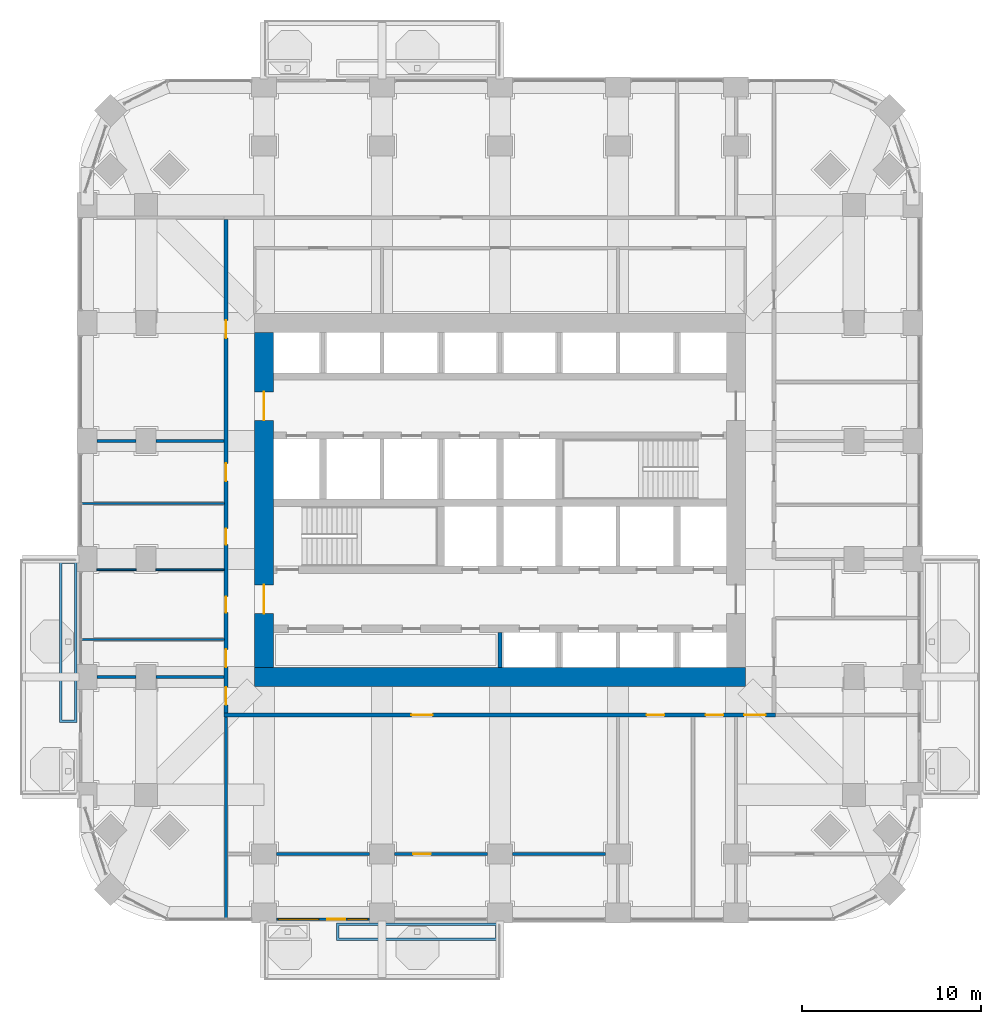
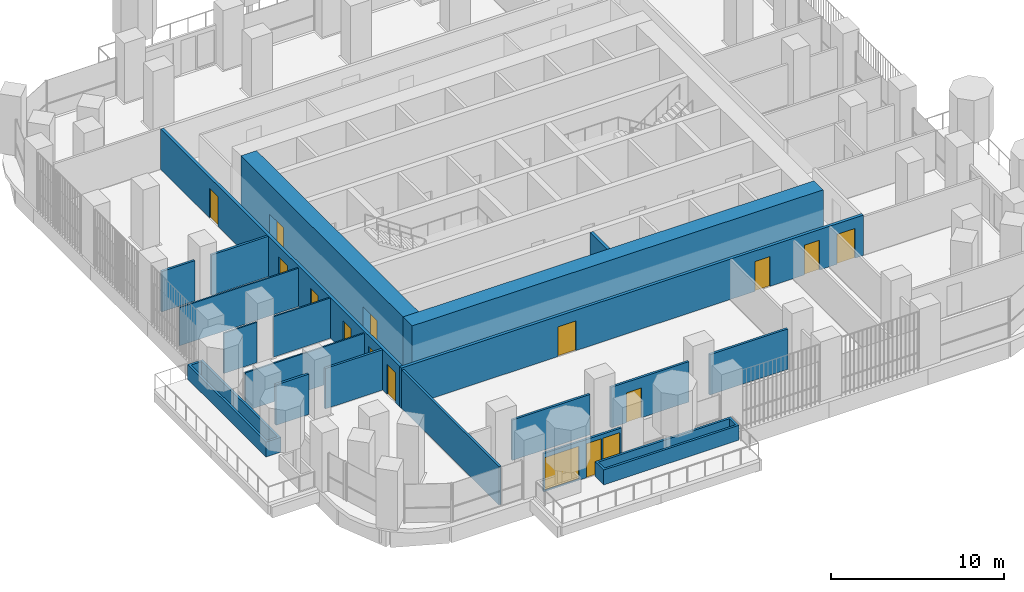
# One storey, part 13 of 21: 20 walls, 14 doors, 2 windows, 16 openings.
"""IFC4 building model written with IfcOpenShell, lengths in metres."""

from ifc_helpers import new_model, si_unit, direction, frame, frame_2d, origin, place, context, subcontext, project, spatial, polyline, rectangle, outline, extrude, material, layer, layer_set, type_object, element, fill, save


model = new_model("IFC4")

# Units and contexts
model_context = context("Model", 3, precision=1e-05, world=origin(), true_north=direction((0.0, 1.0)))
body_context = subcontext(model_context, "Body", "Model", "MODEL_VIEW")
ifc_project = project(units=[si_unit("LENGTHUNIT", "METRE"), si_unit("AREAUNIT", "SQUARE_METRE"), si_unit("VOLUMEUNIT", "CUBIC_METRE"), si_unit("PLANEANGLEUNIT", "RADIAN"), si_unit("MASSUNIT", "GRAM", prefix="KILO")], contexts=[model_context])

# Site, building, storey
site_placement = place(None, origin())
site = spatial("IfcSite", under=ifc_project, at=site_placement, CompositionType="ELEMENT")
building_placement = place(site_placement, origin())
building = spatial("IfcBuilding", under=site, at=building_placement, Name="Cobogo Forest Laboratory Tower", CompositionType="ELEMENT")
storey_placement = place(building_placement, frame((0.0, 0.0, 124.199951171875)))
storey = spatial("IfcBuildingStorey", under=building, at=storey_placement, Name="L28", CompositionType="ELEMENT", Elevation=124.199951171875)

# Wall
ifc_material_1 = material(Name="Concrete HA-50 (C50/60)", Category="concrete")
ifc_layer_1 = layer(ifc_material_1, 1.050048828125)
ifc_layer_set_1 = layer_set([ifc_layer_1], Name="CW1050 core outer wall 1050")
wall_type_1 = type_object("IfcWallType", Name="CW1050 core outer wall 1050", PredefinedType="SHEAR", material=ifc_layer_set_1)
wall_1_placement = place(storey_placement, frame((12.675048828125, 13.199951171875, 0.0), z_axis=(0.0, 0.0, 1.0), x_axis=(1.0, 0.0, 0.0)))
element("IfcWall", 1, at=wall_1_placement, inside=storey, type_object=wall_type_1, Name="Core wall CO-S L28", PredefinedType="SHEAR", context=body_context, shape_type="SweptSolid", body=[
    extrude(rectangle(XDim=27.449951171875, YDim=1.050048828125, at=frame_2d((13.72509765625, 0.0))), origin(), (0.0, 0.0, 1.0), 4.199951171875),
])

# Wall, openings, doors
wall_2_placement = place(storey_placement, frame((13.199951171875, 32.47509765625, 0.0), z_axis=(0.0, 0.0, 1.0), x_axis=(0.0, -1.0, 0.0)))
wall_2 = element("IfcWall", 2, at=wall_2_placement, inside=storey, type_object=wall_type_1, Name="Core wall CO-W L28", PredefinedType="SHEAR", context=body_context, shape_type="SweptSolid", body=[
    extrude(rectangle(XDim=18.75, YDim=1.050048828125, at=frame_2d((9.375, 0.0))), origin(), (0.0, 0.0, 1.0), 4.199951171875),
])
opening_1_placement = place(wall_2_placement, frame((14.125, 0.0, 0.0)))
opening_1 = element("IfcOpeningElement", 3, at=opening_1_placement, cuts=wall_2, Name="Opening L28-D18", PredefinedType="OPENING", context=body_context, shape_type="SweptSolid", body=[
    extrude(rectangle(XDim=1.60009765625, YDim=2.10009765625, at=frame_2d((0.800048828125, 1.050048828125))), frame((0.0, 0.534912109375, 0.0), z_axis=(0.0, -1.0, 0.0), x_axis=(1.0, 0.0, 0.0)), (0.0, 0.0, 1.0), 1.070068359375),
])
opening_2_placement = place(wall_2_placement, frame((3.324951171875, 0.0, 0.0)))
opening_2 = element("IfcOpeningElement", 4, at=opening_2_placement, cuts=wall_2, Name="Opening L28-D30", PredefinedType="OPENING", context=body_context, shape_type="SweptSolid", body=[
    extrude(rectangle(XDim=1.60009765625, YDim=2.10009765625, at=frame_2d((0.800048828125, 1.050048828125))), frame((0.0, 0.534912109375, 0.0), z_axis=(0.0, -1.0, 0.0), x_axis=(1.0, 0.0, 0.0)), (0.0, 0.0, 1.0), 1.070068359375),
])
ifc_material_2 = material(Name="Steel fire door", Category="steel")
door_type_1 = type_object("IfcDoorType", Name="DS2 protected lobby door pair 1600 EI2 60", OperationType="DOUBLE_DOOR_DOUBLE_SWING", PredefinedType="DOOR", material=ifc_material_2)
door_1_placement = place(opening_1_placement, origin())
door_1 = element("IfcDoor", 5, at=door_1_placement, inside=storey, type_object=door_type_1, Name="Door L28-CO-W-S", OperationType="DOUBLE_DOOR_DOUBLE_SWING", OverallHeight=2.10009765625, OverallWidth=1.60009765625, PredefinedType="DOOR", context=body_context, shape_type="SweptSolid", body=[
    extrude(rectangle(XDim=1.60009765625, YDim=2.10009765625, at=frame_2d((0.800048828125, 1.050048828125))), frame((0.0, 0.02490234375, 0.0), z_axis=(0.0, -1.0, 0.0), x_axis=(1.0, 0.0, 0.0)), (0.0, 0.0, 1.0), 0.050048828125),
])
fill(opening_1, door_1)
door_2_placement = place(opening_2_placement, origin())
door_2 = element("IfcDoor", 6, at=door_2_placement, inside=storey, type_object=door_type_1, Name="Door L28-CO-W-N", OperationType="DOUBLE_DOOR_DOUBLE_SWING", OverallHeight=2.10009765625, OverallWidth=1.60009765625, PredefinedType="DOOR", context=body_context, shape_type="SweptSolid", body=[
    extrude(rectangle(XDim=1.60009765625, YDim=2.10009765625, at=frame_2d((0.800048828125, 1.050048828125))), frame((0.0, 0.02490234375, 0.0), z_axis=(0.0, -1.0, 0.0), x_axis=(1.0, 0.0, 0.0)), (0.0, 0.0, 1.0), 0.050048828125),
])
fill(opening_2, door_2)

# Wall, openings, door, windows
ifc_material_3 = material(Name="Aluminium framed glazed screen", Category="aluminium")
ifc_layer_2 = layer(ifc_material_3, 0.14990234375)
ifc_layer_set_2 = layer_set([ifc_layer_2], Name="GS1 glazed door screen 150")
wall_type_2 = type_object("IfcWallType", Name="GS1 glazed door screen 150", PredefinedType="SOLIDWALL", material=ifc_layer_set_2)
wall_3_placement = place(storey_placement, frame((13.89990234375, -0.35009765625, 0.0), z_axis=(0.0, 0.0, 1.0), x_axis=(1.0, 0.0, 0.0)))
wall_3 = element("IfcWall", 7, at=wall_3_placement, inside=storey, type_object=wall_type_2, Name="Door screen BAL-S1 L28", PredefinedType="SOLIDWALL", context=body_context, shape_type="SweptSolid", body=[
    extrude(rectangle(XDim=5.2001953125, YDim=0.14990234375, at=frame_2d((2.60009765625, 0.0))), origin(), (0.0, 0.0, 1.0), 2.699951171875),
])
opening_3_placement = place(wall_3_placement, frame((2.85009765625, 0.0, 0.0)))
opening_3 = element("IfcOpeningElement", 8, at=opening_3_placement, cuts=wall_3, Name="Opening L28-D01", PredefinedType="OPENING", context=body_context, shape_type="SweptSolid", body=[
    extrude(rectangle(XDim=1.0, YDim=2.39990234375, at=frame_2d((0.5, 1.199951171875))), frame((0.0, 0.0849609375, 0.0), z_axis=(0.0, -1.0, 0.0), x_axis=(1.0, 0.0, 0.0)), (0.0, 0.0, 1.0), 0.169921875),
])
opening_4_placement = place(wall_3_placement, frame((0.10009765625, 0.0, 0.10009765625)))
opening_4 = element("IfcOpeningElement", 9, at=opening_4_placement, cuts=wall_3, Name="Opening L28-W01", PredefinedType="OPENING", context=body_context, shape_type="SweptSolid", body=[
    extrude(rectangle(XDim=2.25, YDim=2.300048828125, at=frame_2d((1.125, 1.14990234375))), frame((0.0, 0.0849609375, 0.0), z_axis=(0.0, -1.0, 0.0), x_axis=(1.0, 0.0, 0.0)), (0.0, 0.0, 1.0), 0.169921875),
])
opening_5_placement = place(wall_3_placement, frame((3.949951171875, 0.0, 0.10009765625)))
opening_5 = element("IfcOpeningElement", 10, at=opening_5_placement, cuts=wall_3, Name="Opening L28-W02", PredefinedType="OPENING", context=body_context, shape_type="SweptSolid", body=[
    extrude(rectangle(XDim=1.14990234375, YDim=2.300048828125, at=frame_2d((0.574951171875, 1.14990234375))), frame((0.0, 0.0849609375, 0.0), z_axis=(0.0, -1.0, 0.0), x_axis=(1.0, 0.0, 0.0)), (0.0, 0.0, 1.0), 0.169921875),
])
ifc_material_4 = material(Name="Aluminium glazed door", Category="aluminium")
door_type_2 = type_object("IfcDoorType", Name="DB1 balcony door 1000 glazed", OperationType="SINGLE_SWING_LEFT", PredefinedType="DOOR", material=ifc_material_4)
door_3_placement = place(opening_3_placement, origin())
door_3 = element("IfcDoor", 11, at=door_3_placement, inside=storey, type_object=door_type_2, Name="Door L28-BAL-S1", OperationType="SINGLE_SWING_RIGHT", OverallHeight=2.39990234375, OverallWidth=1.0, PredefinedType="DOOR", context=body_context, shape_type="SweptSolid", body=[
    extrude(rectangle(XDim=1.0, YDim=2.39990234375, at=frame_2d((0.5, 1.199951171875))), frame((0.0, 0.02490234375, 0.0), z_axis=(0.0, -1.0, 0.0), x_axis=(1.0, 0.0, 0.0)), (0.0, 0.0, 1.0), 0.050048828125),
])
fill(opening_3, door_3)
ifc_material_5 = material(Name="Aluminium framed glazing", Category="aluminium")
window_type_1 = type_object("IfcWindowType", Name="WG15 fixed glazed light 2250x2300", PartitioningType="SINGLE_PANEL", PredefinedType="WINDOW", material=ifc_material_5)
window_1_placement = place(opening_4_placement, origin())
window_1 = element("IfcWindow", 12, at=window_1_placement, inside=storey, type_object=window_type_1, Name="Window L28-BAL-S1-1", OverallHeight=2.300048828125, OverallWidth=2.25, PartitioningType="SINGLE_PANEL", PredefinedType="WINDOW", context=body_context, shape_type="SweptSolid", body=[
    extrude(rectangle(XDim=2.25, YDim=2.300048828125, at=frame_2d((1.125, 1.14990234375))), frame((0.0, 0.030029296875, 0.0), z_axis=(0.0, -1.0, 0.0), x_axis=(1.0, 0.0, 0.0)), (0.0, 0.0, 1.0), 0.06005859375),
])
fill(opening_4, window_1)
window_type_2 = type_object("IfcWindowType", Name="WG16 fixed glazed light 1150x2300", PartitioningType="SINGLE_PANEL", PredefinedType="WINDOW", material=ifc_material_5)
window_2_placement = place(opening_5_placement, origin())
window_2 = element("IfcWindow", 13, at=window_2_placement, inside=storey, type_object=window_type_2, Name="Window L28-BAL-S1-2", OverallHeight=2.300048828125, OverallWidth=1.14990234375, PartitioningType="SINGLE_PANEL", PredefinedType="WINDOW", context=body_context, shape_type="SweptSolid", body=[
    extrude(rectangle(XDim=1.14990234375, YDim=2.300048828125, at=frame_2d((0.574951171875, 1.14990234375))), frame((0.0, 0.030029296875, 0.0), z_axis=(0.0, -1.0, 0.0), x_axis=(1.0, 0.0, 0.0)), (0.0, 0.0, 1.0), 0.06005859375),
])
fill(opening_5, window_2)

# Walls
ifc_material_6 = material(Name="Gypsum board on steel studs", Category="steel")
ifc_layer_3 = layer(ifc_material_6, 0.14990234375)
ifc_layer_set_3 = layer_set([ifc_layer_3], Name="PT1 laboratory partition 150")
wall_type_3 = type_object("IfcWallType", Name="PT1 laboratory partition 150", PredefinedType="PARTITIONING", material=ifc_layer_set_3)
wall_4_placement = place(storey_placement, frame((11.074951171875, -0.27001953125, 0.0), z_axis=(0.0, 0.0, 1.0), x_axis=(0.0, 1.0, 0.0)))
element("IfcWall", 14, at=wall_4_placement, inside=storey, type_object=wall_type_3, Name="Partition PW-SW L28", PredefinedType="PARTITIONING", context=body_context, shape_type="SweptSolid", body=[
    extrude(rectangle(XDim=11.2451171875, YDim=0.14990234375, at=frame_2d((5.62255859375, 0.0))), origin(), (0.0, 0.0, 1.0), 2.699951171875),
])
wall_5_placement = place(storey_placement, frame((13.89990234375, 3.300048828125, 0.0), z_axis=(0.0, 0.0, 1.0), x_axis=(1.0, 0.0, 0.0)))
element("IfcWall", 15, at=wall_5_placement, inside=storey, type_object=wall_type_3, Name="Partition STRIP-S-2 L28", PredefinedType="PARTITIONING", context=body_context, shape_type="SweptSolid", body=[
    extrude(rectangle(XDim=5.2001953125, YDim=0.14990234375, at=frame_2d((2.60009765625, 0.0))), origin(), (0.0, 0.0, 1.0), 2.85009765625),
])

# Wall, opening, door
wall_6_placement = place(storey_placement, frame((20.5, 3.300048828125, 0.0), z_axis=(0.0, 0.0, 1.0), x_axis=(1.0, 0.0, 0.0)))
wall_6 = element("IfcWall", 16, at=wall_6_placement, inside=storey, type_object=wall_type_3, Name="Partition STRIP-S-3 L28", PredefinedType="PARTITIONING", context=body_context, shape_type="SweptSolid", body=[
    extrude(rectangle(XDim=5.199951171875, YDim=0.14990234375, at=frame_2d((2.60009765625, 0.0))), origin(), (0.0, 0.0, 1.0), 2.85009765625),
])
opening_6_placement = place(wall_6_placement, frame((1.03759765625, 0.0, 0.0)))
opening_6 = element("IfcOpeningElement", 17, at=opening_6_placement, cuts=wall_6, Name="Opening L28-D02", PredefinedType="OPENING", context=body_context, shape_type="SweptSolid", body=[
    extrude(rectangle(XDim=1.0, YDim=2.10009765625, at=frame_2d((0.5, 1.050048828125))), frame((0.0, 0.0849609375, 0.0), z_axis=(0.0, -1.0, 0.0), x_axis=(1.0, 0.0, 0.0)), (0.0, 0.0, 1.0), 0.169921875),
])
ifc_material_7 = material(Name="Timber fire door", Category="wood")
door_type_3 = type_object("IfcDoorType", Name="FD2 fire door 1000 EI2 30", OperationType="SINGLE_SWING_LEFT", PredefinedType="DOOR", material=ifc_material_7)
door_4_placement = place(opening_6_placement, origin())
door_4 = element("IfcDoor", 18, at=door_4_placement, inside=storey, type_object=door_type_3, Name="Door L28-S1W", OperationType="SINGLE_SWING_LEFT", OverallHeight=2.10009765625, OverallWidth=1.0, PredefinedType="DOOR", context=body_context, shape_type="SweptSolid", body=[
    extrude(rectangle(XDim=1.0, YDim=2.10009765625, at=frame_2d((0.5, 1.050048828125))), frame((0.0, 0.02490234375, 0.0), z_axis=(0.0, -1.0, 0.0), x_axis=(1.0, 0.0, 0.0)), (0.0, 0.0, 1.0), 0.050048828125),
])
fill(opening_6, door_4)

# Walls
wall_7_placement = place(storey_placement, frame((27.10009765625, 3.300048828125, 0.0), z_axis=(0.0, 0.0, 1.0), x_axis=(1.0, 0.0, 0.0)))
element("IfcWall", 19, at=wall_7_placement, inside=storey, type_object=wall_type_3, Name="Partition STRIP-S-4 L28", PredefinedType="PARTITIONING", context=body_context, shape_type="SweptSolid", body=[
    extrude(rectangle(XDim=5.199951171875, YDim=0.14990234375, at=frame_2d((2.60009765625, 0.0))), origin(), (0.0, 0.0, 1.0), 2.85009765625),
])
wall_8_placement = place(storey_placement, frame((3.85009765625, 13.199951171875, 0.0), z_axis=(0.0, 0.0, 1.0), x_axis=(1.0, 0.0, 0.0)))
element("IfcWall", 20, at=wall_8_placement, inside=storey, type_object=wall_type_3, Name="Partition CUT-W13.2-1 L28", PredefinedType="PARTITIONING", context=body_context, shape_type="SweptSolid", body=[
    extrude(rectangle(XDim=2.199951171875, YDim=0.14990234375, at=frame_2d((1.10009765625, 0.0))), origin(), (0.0, 0.0, 1.0), 2.85009765625),
])
wall_9_placement = place(storey_placement, frame((7.14990234375, 13.199951171875, 0.0), z_axis=(0.0, 0.0, 1.0), x_axis=(1.0, 0.0, 0.0)))
element("IfcWall", 21, at=wall_9_placement, inside=storey, type_object=wall_type_3, Name="Partition CUT-W13.2-2 L28", PredefinedType="PARTITIONING", context=body_context, shape_type="SweptSolid", body=[
    extrude(rectangle(XDim=3.8251953125, YDim=0.14990234375, at=frame_2d((1.91259765625, 0.0))), origin(), (0.0, 0.0, 1.0), 2.85009765625),
])
wall_10_placement = place(storey_placement, frame((3.85009765625, 26.39990234375, 0.0), z_axis=(0.0, 0.0, 1.0), x_axis=(1.0, 0.0, 0.0)))
element("IfcWall", 22, at=wall_10_placement, inside=storey, type_object=wall_type_3, Name="Partition CUT-W26.4-1 L28", PredefinedType="PARTITIONING", context=body_context, shape_type="SweptSolid", body=[
    extrude(rectangle(XDim=2.199951171875, YDim=0.14990234375, at=frame_2d((1.10009765625, 0.0))), origin(), (0.0, 0.0, 1.0), 2.85009765625),
])
wall_11_placement = place(storey_placement, frame((7.14990234375, 26.39990234375, 0.0), z_axis=(0.0, 0.0, 1.0), x_axis=(1.0, 0.0, 0.0)))
element("IfcWall", 23, at=wall_11_placement, inside=storey, type_object=wall_type_3, Name="Partition CUT-W26.4-2 L28", PredefinedType="PARTITIONING", context=body_context, shape_type="SweptSolid", body=[
    extrude(rectangle(XDim=3.8251953125, YDim=0.14990234375, at=frame_2d((1.91259765625, 0.0))), origin(), (0.0, 0.0, 1.0), 2.85009765625),
])

# Wall, openings, doors
ifc_layer_4 = layer(ifc_material_6, 0.199951171875)
ifc_layer_set_4 = layer_set([ifc_layer_4], Name="PT2 fire-rated corridor partition 200")
wall_type_4 = type_object("IfcWallType", Name="PT2 fire-rated corridor partition 200", PredefinedType="PARTITIONING", material=ifc_layer_set_4)
wall_12_placement = place(storey_placement, frame((10.97509765625, 11.074951171875, 0.0), z_axis=(0.0, 0.0, 1.0), x_axis=(1.0, 0.0, 0.0)))
wall_12 = element("IfcWall", 24, at=wall_12_placement, inside=storey, type_object=wall_type_4, Name="Partition CORR-S L28", PredefinedType="PARTITIONING", context=body_context, shape_type="SweptSolid", body=[
    extrude(rectangle(XDim=30.849853515625, YDim=0.199951171875, at=frame_2d((15.4248046875, 0.0))), origin(), (0.0, 0.0, 1.0), 2.85009765625),
])
opening_7_placement = place(wall_12_placement, frame((10.46240234375, 0.0, 0.0)))
opening_7 = element("IfcOpeningElement", 25, at=opening_7_placement, cuts=wall_12, Name="Opening L28-D06", PredefinedType="OPENING", context=body_context, shape_type="SweptSolid", body=[
    extrude(rectangle(XDim=1.199951171875, YDim=2.10009765625, at=frame_2d((0.60009765625, 1.050048828125))), frame((0.0, 0.10986328125, 0.0), z_axis=(0.0, -1.0, 0.0), x_axis=(1.0, 0.0, 0.0)), (0.0, 0.0, 1.0), 0.219970703125),
])
opening_8_placement = place(wall_12_placement, frame((23.625, 0.0, 0.0)))
opening_8 = element("IfcOpeningElement", 26, at=opening_8_placement, cuts=wall_12, Name="Opening L28-D07", PredefinedType="OPENING", context=body_context, shape_type="SweptSolid", body=[
    extrude(rectangle(XDim=1.0, YDim=2.10009765625, at=frame_2d((0.5, 1.050048828125))), frame((0.0, 0.10986328125, 0.0), z_axis=(0.0, -1.0, 0.0), x_axis=(1.0, 0.0, 0.0)), (0.0, 0.0, 1.0), 0.219970703125),
])
opening_9_placement = place(wall_12_placement, frame((26.925048828125, 0.0, 0.0)))
opening_9 = element("IfcOpeningElement", 27, at=opening_9_placement, cuts=wall_12, Name="Opening L28-D08", PredefinedType="OPENING", context=body_context, shape_type="SweptSolid", body=[
    extrude(rectangle(XDim=1.0, YDim=2.10009765625, at=frame_2d((0.5, 1.050048828125))), frame((0.0, 0.10986328125, 0.0), z_axis=(0.0, -1.0, 0.0), x_axis=(1.0, 0.0, 0.0)), (0.0, 0.0, 1.0), 0.219970703125),
])
opening_10_placement = place(wall_12_placement, frame((29.08740234375, 0.0, 0.0)))
opening_10 = element("IfcOpeningElement", 28, at=opening_10_placement, cuts=wall_12, Name="Opening L28-D09", PredefinedType="OPENING", context=body_context, shape_type="SweptSolid", body=[
    extrude(rectangle(XDim=1.199951171875, YDim=2.10009765625, at=frame_2d((0.60009765625, 1.050048828125))), frame((0.0, 0.10986328125, 0.0), z_axis=(0.0, -1.0, 0.0), x_axis=(1.0, 0.0, 0.0)), (0.0, 0.0, 1.0), 0.219970703125),
])
ifc_material_8 = material(Name="Timber door", Category="wood")
door_type_4 = type_object("IfcDoorType", Name="D2 laboratory door 1200 unequal pair", OperationType="DOUBLE_DOOR_SINGLE_SWING", PredefinedType="DOOR", material=ifc_material_8)
door_5_placement = place(opening_7_placement, origin())
door_5 = element("IfcDoor", 29, at=door_5_placement, inside=storey, type_object=door_type_4, Name="Door L28-S1", OperationType="DOUBLE_DOOR_SINGLE_SWING", OverallHeight=2.10009765625, OverallWidth=1.199951171875, PredefinedType="DOOR", context=body_context, shape_type="SweptSolid", body=[
    extrude(rectangle(XDim=1.199951171875, YDim=2.10009765625, at=frame_2d((0.60009765625, 1.050048828125))), frame((0.0, 0.02490234375, 0.0), z_axis=(0.0, -1.0, 0.0), x_axis=(1.0, 0.0, 0.0)), (0.0, 0.0, 1.0), 0.050048828125),
])
fill(opening_7, door_5)
door_6_placement = place(opening_10_placement, origin())
door_6 = element("IfcDoor", 30, at=door_6_placement, inside=storey, type_object=door_type_4, Name="Door L28-S2", OperationType="DOUBLE_DOOR_SINGLE_SWING", OverallHeight=2.10009765625, OverallWidth=1.199951171875, PredefinedType="DOOR", context=body_context, shape_type="SweptSolid", body=[
    extrude(rectangle(XDim=1.199951171875, YDim=2.10009765625, at=frame_2d((0.60009765625, 1.050048828125))), frame((0.0, 0.02490234375, 0.0), z_axis=(0.0, -1.0, 0.0), x_axis=(1.0, 0.0, 0.0)), (0.0, 0.0, 1.0), 0.050048828125),
])
fill(opening_10, door_6)
door_7_placement = place(opening_8_placement, origin())
door_7 = element("IfcDoor", 31, at=door_7_placement, inside=storey, type_object=door_type_3, Name="Door L28-MTG", OperationType="SINGLE_SWING_RIGHT", OverallHeight=2.10009765625, OverallWidth=1.0, PredefinedType="DOOR", context=body_context, shape_type="SweptSolid", body=[
    extrude(rectangle(XDim=1.0, YDim=2.10009765625, at=frame_2d((0.5, 1.050048828125))), frame((0.0, 0.02490234375, 0.0), z_axis=(0.0, -1.0, 0.0), x_axis=(1.0, 0.0, 0.0)), (0.0, 0.0, 1.0), 0.050048828125),
])
fill(opening_8, door_7)
door_8_placement = place(opening_9_placement, origin())
door_8 = element("IfcDoor", 32, at=door_8_placement, inside=storey, type_object=door_type_3, Name="Door L28-PAN", OperationType="SINGLE_SWING_RIGHT", OverallHeight=2.10009765625, OverallWidth=1.0, PredefinedType="DOOR", context=body_context, shape_type="SweptSolid", body=[
    extrude(rectangle(XDim=1.0, YDim=2.10009765625, at=frame_2d((0.5, 1.050048828125))), frame((0.0, 0.02490234375, 0.0), z_axis=(0.0, -1.0, 0.0), x_axis=(1.0, 0.0, 0.0)), (0.0, 0.0, 1.0), 0.050048828125),
])
fill(opening_9, door_8)

wall_13_placement = place(storey_placement, frame((11.074951171875, 11.175048828125, 0.0), z_axis=(0.0, 0.0, 1.0), x_axis=(0.0, 1.0, 0.0)))
wall_13 = element("IfcWall", 33, at=wall_13_placement, inside=storey, type_object=wall_type_4, Name="Partition CORR-W L28", PredefinedType="PARTITIONING", context=body_context, shape_type="SweptSolid", body=[
    extrude(rectangle(XDim=27.625, YDim=0.199951171875, at=frame_2d((13.8125, 0.0))), origin(), (0.0, 0.0, 1.0), 2.85009765625),
])
opening_11_placement = place(wall_13_placement, frame((0.46240234375, 0.0, 0.0)))
opening_11 = element("IfcOpeningElement", 34, at=opening_11_placement, cuts=wall_13, Name="Opening L28-D10", PredefinedType="OPENING", context=body_context, shape_type="SweptSolid", body=[
    extrude(rectangle(XDim=1.0, YDim=2.10009765625, at=frame_2d((0.5, 1.050048828125))), frame((0.0, 0.10986328125, 0.0), z_axis=(0.0, -1.0, 0.0), x_axis=(1.0, 0.0, 0.0)), (0.0, 0.0, 1.0), 0.219970703125),
])
opening_12_placement = place(wall_13_placement, frame((2.574951171875, 0.0, 0.0)))
opening_12 = element("IfcOpeningElement", 35, at=opening_12_placement, cuts=wall_13, Name="Opening L28-D12", PredefinedType="OPENING", context=body_context, shape_type="SweptSolid", body=[
    extrude(rectangle(XDim=1.0, YDim=2.10009765625, at=frame_2d((0.5, 1.050048828125))), frame((0.0, 0.10986328125, 0.0), z_axis=(0.0, -1.0, 0.0), x_axis=(1.0, 0.0, 0.0)), (0.0, 0.0, 1.0), 0.219970703125),
])
opening_13_placement = place(wall_13_placement, frame((5.625, 0.0, 0.0)))
opening_13 = element("IfcOpeningElement", 36, at=opening_13_placement, cuts=wall_13, Name="Opening L28-D17", PredefinedType="OPENING", context=body_context, shape_type="SweptSolid", body=[
    extrude(rectangle(XDim=0.89990234375, YDim=2.10009765625, at=frame_2d((0.449951171875, 1.050048828125))), frame((0.0, 0.10986328125, 0.0), z_axis=(0.0, -1.0, 0.0), x_axis=(1.0, 0.0, 0.0)), (0.0, 0.0, 1.0), 0.219970703125),
])
opening_14_placement = place(wall_13_placement, frame((9.425048828125, 0.0, 0.0)))
opening_14 = element("IfcOpeningElement", 37, at=opening_14_placement, cuts=wall_13, Name="Opening L28-D24", PredefinedType="OPENING", context=body_context, shape_type="SweptSolid", body=[
    extrude(rectangle(XDim=0.89990234375, YDim=2.10009765625, at=frame_2d((0.449951171875, 1.050048828125))), frame((0.0, 0.10986328125, 0.0), z_axis=(0.0, -1.0, 0.0), x_axis=(1.0, 0.0, 0.0)), (0.0, 0.0, 1.0), 0.219970703125),
])
opening_15_placement = place(wall_13_placement, frame((12.97509765625, 0.0, 0.0)))
opening_15 = element("IfcOpeningElement", 38, at=opening_15_placement, cuts=wall_13, Name="Opening L28-D27", PredefinedType="OPENING", context=body_context, shape_type="SweptSolid", body=[
    extrude(rectangle(XDim=1.0, YDim=2.10009765625, at=frame_2d((0.5, 1.050048828125))), frame((0.0, 0.10986328125, 0.0), z_axis=(0.0, -1.0, 0.0), x_axis=(1.0, 0.0, 0.0)), (0.0, 0.0, 1.0), 0.219970703125),
])
opening_16_placement = place(wall_13_placement, frame((20.97509765625, 0.0, 0.0)))
opening_16 = element("IfcOpeningElement", 39, at=opening_16_placement, cuts=wall_13, Name="Opening L28-D32", PredefinedType="OPENING", context=body_context, shape_type="SweptSolid", body=[
    extrude(rectangle(XDim=1.0, YDim=2.10009765625, at=frame_2d((0.5, 1.050048828125))), frame((0.0, 0.10986328125, 0.0), z_axis=(0.0, -1.0, 0.0), x_axis=(1.0, 0.0, 0.0)), (0.0, 0.0, 1.0), 0.219970703125),
])
door_9_placement = place(opening_11_placement, origin())
door_9 = element("IfcDoor", 40, at=door_9_placement, inside=storey, type_object=door_type_3, Name="Door L28-W1", OperationType="SINGLE_SWING_LEFT", OverallHeight=2.10009765625, OverallWidth=1.0, PredefinedType="DOOR", context=body_context, shape_type="SweptSolid", body=[
    extrude(rectangle(XDim=1.0, YDim=2.10009765625, at=frame_2d((0.5, 1.050048828125))), frame((0.0, 0.02490234375, 0.0), z_axis=(0.0, -1.0, 0.0), x_axis=(1.0, 0.0, 0.0)), (0.0, 0.0, 1.0), 0.050048828125),
])
fill(opening_11, door_9)
door_10_placement = place(opening_15_placement, origin())
door_10 = element("IfcDoor", 41, at=door_10_placement, inside=storey, type_object=door_type_3, Name="Door L28-SHW", OperationType="SINGLE_SWING_LEFT", OverallHeight=2.10009765625, OverallWidth=1.0, PredefinedType="DOOR", context=body_context, shape_type="SweptSolid", body=[
    extrude(rectangle(XDim=1.0, YDim=2.10009765625, at=frame_2d((0.5, 1.050048828125))), frame((0.0, 0.02490234375, 0.0), z_axis=(0.0, -1.0, 0.0), x_axis=(1.0, 0.0, 0.0)), (0.0, 0.0, 1.0), 0.050048828125),
])
fill(opening_15, door_10)
door_11_placement = place(opening_16_placement, origin())
door_11 = element("IfcDoor", 42, at=door_11_placement, inside=storey, type_object=door_type_3, Name="Door L28-W3", OperationType="SINGLE_SWING_RIGHT", OverallHeight=2.10009765625, OverallWidth=1.0, PredefinedType="DOOR", context=body_context, shape_type="SweptSolid", body=[
    extrude(rectangle(XDim=1.0, YDim=2.10009765625, at=frame_2d((0.5, 1.050048828125))), frame((0.0, 0.02490234375, 0.0), z_axis=(0.0, -1.0, 0.0), x_axis=(1.0, 0.0, 0.0)), (0.0, 0.0, 1.0), 0.050048828125),
])
fill(opening_16, door_11)
door_type_5 = type_object("IfcDoorType", Name="FD3 toilet fire door 900 EI2 30", OperationType="SINGLE_SWING_LEFT", PredefinedType="DOOR", material=ifc_material_7)
door_12_placement = place(opening_13_placement, origin())
door_12 = element("IfcDoor", 43, at=door_12_placement, inside=storey, type_object=door_type_5, Name="Door L28-WCF", OperationType="SINGLE_SWING_LEFT", OverallHeight=2.10009765625, OverallWidth=0.89990234375, PredefinedType="DOOR", context=body_context, shape_type="SweptSolid", body=[
    extrude(rectangle(XDim=0.89990234375, YDim=2.10009765625, at=frame_2d((0.449951171875, 1.050048828125))), frame((0.0, 0.02490234375, 0.0), z_axis=(0.0, -1.0, 0.0), x_axis=(1.0, 0.0, 0.0)), (0.0, 0.0, 1.0), 0.050048828125),
])
fill(opening_13, door_12)
door_13_placement = place(opening_14_placement, origin())
door_13 = element("IfcDoor", 44, at=door_13_placement, inside=storey, type_object=door_type_5, Name="Door L28-WCM", OperationType="SINGLE_SWING_LEFT", OverallHeight=2.10009765625, OverallWidth=0.89990234375, PredefinedType="DOOR", context=body_context, shape_type="SweptSolid", body=[
    extrude(rectangle(XDim=0.89990234375, YDim=2.10009765625, at=frame_2d((0.449951171875, 1.050048828125))), frame((0.0, 0.02490234375, 0.0), z_axis=(0.0, -1.0, 0.0), x_axis=(1.0, 0.0, 0.0)), (0.0, 0.0, 1.0), 0.050048828125),
])
fill(opening_14, door_13)
door_type_6 = type_object("IfcDoorType", Name="FDA1 accessible toilet fire door 1000 EI2 30", OperationType="SINGLE_SWING_RIGHT", PredefinedType="DOOR", material=ifc_material_7)
door_14_placement = place(opening_12_placement, origin())
door_14 = element("IfcDoor", 45, at=door_14_placement, inside=storey, type_object=door_type_6, Name="Door L28-WCA", OperationType="SINGLE_SWING_LEFT", OverallHeight=2.10009765625, OverallWidth=1.0, PredefinedType="DOOR", context=body_context, shape_type="SweptSolid", body=[
    extrude(rectangle(XDim=1.0, YDim=2.10009765625, at=frame_2d((0.5, 1.050048828125))), frame((0.0, 0.02490234375, 0.0), z_axis=(0.0, -1.0, 0.0), x_axis=(1.0, 0.0, 0.0)), (0.0, 0.0, 1.0), 0.050048828125),
])
fill(opening_12, door_14)

# Walls
ifc_layer_5 = layer(ifc_material_6, 0.10009765625)
ifc_layer_set_5 = layer_set([ifc_layer_5], Name="PT3 toilet partition 100")
wall_type_5 = type_object("IfcWallType", Name="PT3 toilet partition 100", PredefinedType="PARTITIONING", material=ifc_layer_set_5)
wall_14_placement = place(storey_placement, frame((3.030029296875, 15.300048828125, 0.0), z_axis=(0.0, 0.0, 1.0), x_axis=(1.0, 0.0, 0.0)))
element("IfcWall", 46, at=wall_14_placement, inside=storey, type_object=wall_type_5, Name="Partition SVC-W1-1 L28", PredefinedType="PARTITIONING", context=body_context, shape_type="SweptSolid", body=[
    extrude(rectangle(XDim=7.945068359375, YDim=0.10009765625, at=frame_2d((3.97265625, 0.0))), origin(), (0.0, 0.0, 1.0), 2.699951171875),
])
wall_15_placement = place(storey_placement, frame((3.85009765625, 19.199951171875, 0.0), z_axis=(0.0, 0.0, 1.0), x_axis=(1.0, 0.0, 0.0)))
element("IfcWall", 47, at=wall_15_placement, inside=storey, type_object=wall_type_5, Name="Partition SVC-W2-1 L28", PredefinedType="PARTITIONING", context=body_context, shape_type="SweptSolid", body=[
    extrude(rectangle(XDim=2.199951171875, YDim=0.10009765625, at=frame_2d((1.10009765625, 0.0))), origin(), (0.0, 0.0, 1.0), 2.85009765625),
])
wall_16_placement = place(storey_placement, frame((7.14990234375, 19.199951171875, 0.0), z_axis=(0.0, 0.0, 1.0), x_axis=(1.0, 0.0, 0.0)))
element("IfcWall", 48, at=wall_16_placement, inside=storey, type_object=wall_type_5, Name="Partition SVC-W2-2 L28", PredefinedType="PARTITIONING", context=body_context, shape_type="SweptSolid", body=[
    extrude(rectangle(XDim=3.8251953125, YDim=0.10009765625, at=frame_2d((1.91259765625, 0.0))), origin(), (0.0, 0.0, 1.0), 2.85009765625),
])
wall_17_placement = place(storey_placement, frame((3.030029296875, 22.89990234375, 0.0), z_axis=(0.0, 0.0, 1.0), x_axis=(1.0, 0.0, 0.0)))
element("IfcWall", 49, at=wall_17_placement, inside=storey, type_object=wall_type_5, Name="Partition SVC-W3-1 L28", PredefinedType="PARTITIONING", context=body_context, shape_type="SweptSolid", body=[
    extrude(rectangle(XDim=7.945068359375, YDim=0.10009765625, at=frame_2d((3.97265625, 0.0))), origin(), (0.0, 0.0, 1.0), 2.699951171875),
])
ifc_material_9 = material(Name="Concrete HA-40 (C40/50)", Category="concrete")
ifc_layer_6 = layer(ifc_material_9, 0.14990234375)
ifc_layer_set_6 = layer_set([ifc_layer_6], Name="Planter box 1000x1050")
wall_type_6 = type_object("IfcWallType", Name="Planter box 1000x1050", PredefinedType="USERDEFINED", material=ifc_layer_set_6)
wall_18_placement = place(storey_placement, origin())
element("IfcWall", 50, at=wall_18_placement, inside=storey, type_object=wall_type_6, Name="Planter BAL-S1-2 L28", ObjectType="PLANTER", PredefinedType="USERDEFINED", context=body_context, shape_type="SweptSolid", body=[
    extrude(outline(polyline([(17.25, -1.550048828125), (26.300048828125, -1.550048828125), (26.300048828125, -0.550048828125), (17.25, -0.550048828125), (17.25, -1.550048828125)]), holes=[polyline([(17.39990234375, -1.39990234375), (26.14990234375, -1.39990234375), (26.14990234375, -0.699951171875), (17.39990234375, -0.699951171875), (17.39990234375, -1.39990234375)])]), origin(), (0.0, 0.0, 1.0), 1.050048828125),
])
wall_19_placement = place(storey_placement, origin())
element("IfcWall", 51, at=wall_19_placement, inside=storey, type_object=wall_type_6, Name="Planter BAL-W1-2 L28", ObjectType="PLANTER", PredefinedType="USERDEFINED", context=body_context, shape_type="SweptSolid", body=[
    extrude(outline(polyline([(1.75, 10.64990234375), (2.75, 10.64990234375), (2.75, 19.699951171875), (1.75, 19.699951171875), (1.75, 10.64990234375)]), holes=[polyline([(1.89990234375, 10.800048828125), (2.60009765625, 10.800048828125), (2.60009765625, 19.550048828125), (1.89990234375, 19.550048828125), (1.89990234375, 10.800048828125)])]), origin(), (0.0, 0.0, 1.0), 1.050048828125),
])
ifc_material_10 = material(Name="Concrete block", Category="concrete")
ifc_layer_7 = layer(ifc_material_10, 0.199951171875)
ifc_layer_set_7 = layer_set([ifc_layer_7], Name="SW200 lift shaft separator 200")
wall_type_7 = type_object("IfcWallType", Name="SW200 lift shaft separator 200", PredefinedType="PARTITIONING", material=ifc_layer_set_7)
wall_20_placement = place(storey_placement, frame((26.39990234375, 13.72509765625, 0.0), z_axis=(0.0, 0.0, 1.0), x_axis=(0.0, 1.0, 0.0)))
element("IfcWall", 52, at=wall_20_placement, inside=storey, type_object=wall_type_7, Name="Core wall SEP-S4 L28", PredefinedType="PARTITIONING", context=body_context, shape_type="SweptSolid", body=[
    extrude(rectangle(XDim=1.974853515625, YDim=0.199951171875, at=frame_2d((0.9873046875, 0.0))), origin(), (0.0, 0.0, 1.0), 4.199951171875),
])

save(model, "model.ifc")
